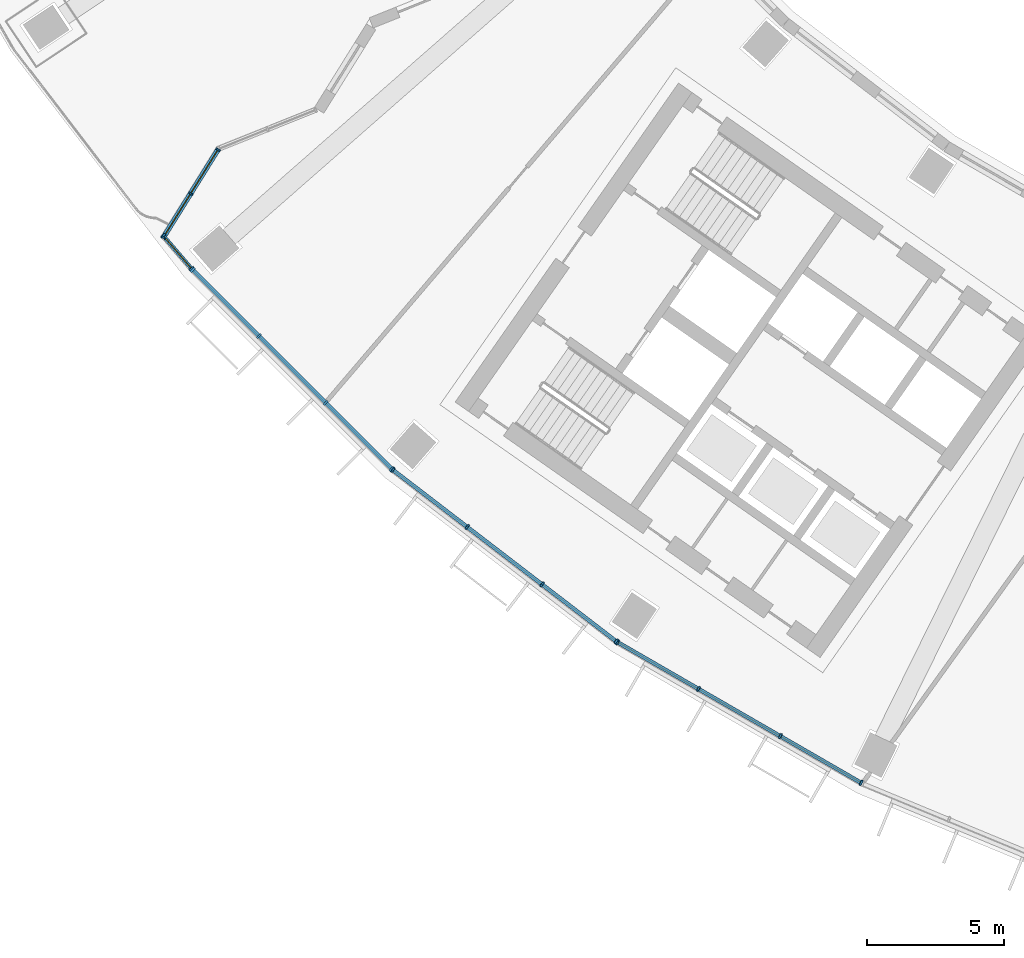
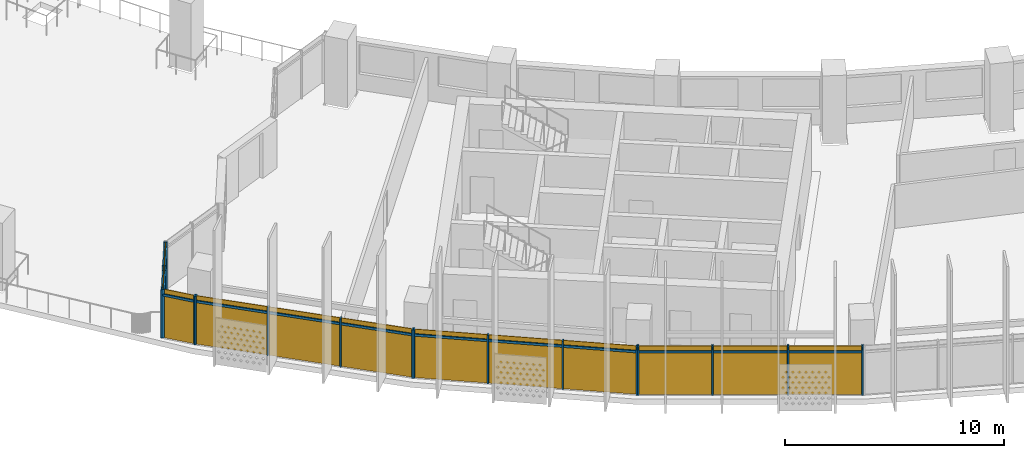
# One storey, part 16 of 31: 29 members, 5 curtain walls.
"""IFC4 building model written with IfcOpenShell, lengths in metres."""

from ifc_helpers import new_model, si_unit, direction, frame, origin, origin_2d, place, context, subcontext, project, spatial, rectangle, extrude, material, material_profile, profile_set, type_object, element, aggregate, save


model = new_model("IFC4")

# Units and contexts
model_context = context("Model", 3, precision=1e-05, world=origin(), true_north=direction((0.0, 1.0)))
body_context = subcontext(model_context, "Body", "Model", "MODEL_VIEW")
ifc_project = project(units=[si_unit("LENGTHUNIT", "METRE"), si_unit("AREAUNIT", "SQUARE_METRE"), si_unit("VOLUMEUNIT", "CUBIC_METRE"), si_unit("PLANEANGLEUNIT", "RADIAN"), si_unit("MASSUNIT", "GRAM", prefix="KILO")], contexts=[model_context])

# Member
ifc_material = material(Name="Aluminium 6063-T6 anodised", Category="aluminium")
ifc_material_profile_1 = material_profile(ifc_material, rectangle(XDim=0.179931640625, YDim=0.06005859375, at=origin_2d()))
ifc_profile_set_1 = profile_set([ifc_material_profile_1], Name="Aluminium 6063-T6 anodised")
member_type_1 = type_object("IfcMemberType", Name="Mullion 60 x 180 aluminium, garden", PredefinedType="MULLION", material=ifc_profile_set_1)
site_placement = place(None, origin())
building_placement = place(site_placement, origin())
storey_placement = place(building_placement, frame((0.0, 0.0, 149.300048828125)))
member_1_placement = place(storey_placement, frame((-58.37939453125, -47.655029296875, 0.0), z_axis=(0.0, 0.0, 1.0), x_axis=(0.849221550021, -0.528036702303, 0.0)))
member_1 = element("IfcMember", 1, at=member_1_placement, type_object=member_type_1, Name="e-cw4-L34-capW5/M00", PredefinedType="MULLION", context=body_context, shape_type="SweptSolid", body=[
    extrude(rectangle(XDim=0.179931640625, YDim=0.06005859375, at=origin_2d()), origin(), (0.0, 0.0, 1.0), 2.699951171875),
])

member_2_placement = place(storey_placement, frame((-59.3759765625, -49.2578125, 0.0), z_axis=(0.0, 0.0, 1.0), x_axis=(0.849221550021, -0.528036702303, 0.0)))
member_2 = element("IfcMember", 2, at=member_2_placement, type_object=member_type_1, Name="e-cw4-L34-capW5/M01", PredefinedType="MULLION", context=body_context, shape_type="SweptSolid", body=[
    extrude(rectangle(XDim=0.179931640625, YDim=0.06005859375, at=origin_2d()), origin(), (0.0, 0.0, 1.0), 2.699951171875),
])

member_3_placement = place(storey_placement, frame((-60.372314453125, -50.8603515625, 0.0), z_axis=(0.0, 0.0, 1.0), x_axis=(0.849221550021, -0.528036702303, 0.0)))
member_3 = element("IfcMember", 3, at=member_3_placement, type_object=member_type_1, Name="e-cw4-L34-capW5/M02", PredefinedType="MULLION", context=body_context, shape_type="SweptSolid", body=[
    extrude(rectangle(XDim=0.179931640625, YDim=0.06005859375, at=origin_2d()), origin(), (0.0, 0.0, 1.0), 2.699951171875),
])

ifc_material_profile_2 = material_profile(ifc_material, rectangle(XDim=0.199951171875, YDim=0.070068359375, at=origin_2d()))
ifc_profile_set_2 = profile_set([ifc_material_profile_2], Name="Aluminium 6063-T6 anodised")
member_type_2 = type_object("IfcMemberType", Name="Mullion 70 x 200 aluminium", PredefinedType="MULLION", material=ifc_profile_set_2)
member_4_placement = place(storey_placement, frame((-60.37451171875, -50.79443359375, 0.0), z_axis=(0.0, 0.0, 1.0), x_axis=(0.758703110659, 0.651436558597, 0.0)))
member_4 = element("IfcMember", 4, at=member_4_placement, type_object=member_type_2, Name="e-cw1-L34-out00/M00", PredefinedType="MULLION", context=body_context, shape_type="SweptSolid", body=[
    extrude(rectangle(XDim=0.199951171875, YDim=0.070068359375, at=origin_2d()), origin(), (0.0, 0.0, 1.0), 2.699951171875),
])

member_5_placement = place(storey_placement, frame((-59.34228515625, -51.99658203125, 0.0), z_axis=(0.0, 0.0, 1.0), x_axis=(0.758703110659, 0.651436558597, 0.0)))
member_5 = element("IfcMember", 5, at=member_5_placement, type_object=member_type_2, Name="e-cw1-L34-out00/M01", PredefinedType="MULLION", context=body_context, shape_type="SweptSolid", body=[
    extrude(rectangle(XDim=0.199951171875, YDim=0.070068359375, at=origin_2d()), origin(), (0.0, 0.0, 1.0), 2.699951171875),
])

member_6_placement = place(storey_placement, frame((-59.2998046875, -52.042236328125, 0.0), z_axis=(0.0, 0.0, 1.0), x_axis=(0.707106781187, 0.707106781187, 0.0)))
member_6 = element("IfcMember", 6, at=member_6_placement, type_object=member_type_2, Name="e-cw1-L34-out01/M00", PredefinedType="MULLION", context=body_context, shape_type="SweptSolid", body=[
    extrude(rectangle(XDim=0.199951171875, YDim=0.070068359375, at=origin_2d()), origin(), (0.0, 0.0, 1.0), 2.699951171875),
])

member_7_placement = place(storey_placement, frame((-56.888916015625, -54.453369140625, 0.0), z_axis=(0.0, 0.0, 1.0), x_axis=(0.707106781187, 0.707106781187, 0.0)))
member_7 = element("IfcMember", 7, at=member_7_placement, type_object=member_type_2, Name="e-cw1-L34-out01/M01", PredefinedType="MULLION", context=body_context, shape_type="SweptSolid", body=[
    extrude(rectangle(XDim=0.199951171875, YDim=0.070068359375, at=origin_2d()), origin(), (0.0, 0.0, 1.0), 2.699951171875),
])

member_8_placement = place(storey_placement, frame((-54.453369140625, -56.888916015625, 0.0), z_axis=(0.0, 0.0, 1.0), x_axis=(0.707106781187, 0.707106781187, 0.0)))
member_8 = element("IfcMember", 8, at=member_8_placement, type_object=member_type_2, Name="e-cw1-L34-out01/M02", PredefinedType="MULLION", context=body_context, shape_type="SweptSolid", body=[
    extrude(rectangle(XDim=0.199951171875, YDim=0.070068359375, at=origin_2d()), origin(), (0.0, 0.0, 1.0), 2.699951171875),
])

member_9_placement = place(storey_placement, frame((-52.042236328125, -59.2998046875, 0.0), z_axis=(0.0, 0.0, 1.0), x_axis=(0.707106781187, 0.707106781187, 0.0)))
member_9 = element("IfcMember", 9, at=member_9_placement, type_object=member_type_2, Name="e-cw1-L34-out01/M03", PredefinedType="MULLION", context=body_context, shape_type="SweptSolid", body=[
    extrude(rectangle(XDim=0.199951171875, YDim=0.070068359375, at=origin_2d()), origin(), (0.0, 0.0, 1.0), 2.699951171875),
])

member_10_placement = place(storey_placement, frame((-51.999755859375, -59.33740234375, 0.0), z_axis=(0.0, 0.0, 1.0), x_axis=(0.608761429009, 0.793353340291, 0.0)))
member_10 = element("IfcMember", 10, at=member_10_placement, type_object=member_type_2, Name="e-cw1-L34-out02/M00", PredefinedType="MULLION", context=body_context, shape_type="SweptSolid", body=[
    extrude(rectangle(XDim=0.199951171875, YDim=0.070068359375, at=origin_2d()), origin(), (0.0, 0.0, 1.0), 2.699951171875),
])

member_11_placement = place(storey_placement, frame((-49.294677734375, -61.412841796875, 0.0), z_axis=(0.0, 0.0, 1.0), x_axis=(0.608761429009, 0.793353340291, 0.0)))
member_11 = element("IfcMember", 11, at=member_11_placement, type_object=member_type_2, Name="e-cw1-L34-out02/M01", PredefinedType="MULLION", context=body_context, shape_type="SweptSolid", body=[
    extrude(rectangle(XDim=0.199951171875, YDim=0.070068359375, at=origin_2d()), origin(), (0.0, 0.0, 1.0), 2.699951171875),
])

member_12_placement = place(storey_placement, frame((-46.56201171875, -63.509765625, 0.0), z_axis=(0.0, 0.0, 1.0), x_axis=(0.608761429009, 0.793353340291, 0.0)))
member_12 = element("IfcMember", 12, at=member_12_placement, type_object=member_type_2, Name="e-cw1-L34-out02/M02", PredefinedType="MULLION", context=body_context, shape_type="SweptSolid", body=[
    extrude(rectangle(XDim=0.199951171875, YDim=0.070068359375, at=origin_2d()), origin(), (0.0, 0.0, 1.0), 2.699951171875),
])

member_13_placement = place(storey_placement, frame((-43.85693359375, -65.58544921875, 0.0), z_axis=(0.0, 0.0, 1.0), x_axis=(0.608761429009, 0.793353340291, 0.0)))
member_13 = element("IfcMember", 13, at=member_13_placement, type_object=member_type_2, Name="e-cw1-L34-out02/M03", PredefinedType="MULLION", context=body_context, shape_type="SweptSolid", body=[
    extrude(rectangle(XDim=0.199951171875, YDim=0.070068359375, at=origin_2d()), origin(), (0.0, 0.0, 1.0), 2.699951171875),
])

member_14_placement = place(storey_placement, frame((-43.809814453125, -65.616943359375, 0.0), z_axis=(0.0, 0.0, 1.0), x_axis=(0.5, 0.866025403784, 0.0)))
member_14 = element("IfcMember", 14, at=member_14_placement, type_object=member_type_2, Name="e-cw1-L34-out03/M00", PredefinedType="MULLION", context=body_context, shape_type="SweptSolid", body=[
    extrude(rectangle(XDim=0.199951171875, YDim=0.070068359375, at=origin_2d()), origin(), (0.0, 0.0, 1.0), 2.699951171875),
])

member_15_placement = place(storey_placement, frame((-40.85693359375, -67.32177734375, 0.0), z_axis=(0.0, 0.0, 1.0), x_axis=(0.5, 0.866025403784, 0.0)))
member_15 = element("IfcMember", 15, at=member_15_placement, type_object=member_type_2, Name="e-cw1-L34-out03/M01", PredefinedType="MULLION", context=body_context, shape_type="SweptSolid", body=[
    extrude(rectangle(XDim=0.199951171875, YDim=0.070068359375, at=origin_2d()), origin(), (0.0, 0.0, 1.0), 2.699951171875),
])

member_16_placement = place(storey_placement, frame((-37.873779296875, -69.0439453125, 0.0), z_axis=(0.0, 0.0, 1.0), x_axis=(0.5, 0.866025403784, 0.0)))
member_16 = element("IfcMember", 16, at=member_16_placement, type_object=member_type_2, Name="e-cw1-L34-out03/M02", PredefinedType="MULLION", context=body_context, shape_type="SweptSolid", body=[
    extrude(rectangle(XDim=0.199951171875, YDim=0.070068359375, at=origin_2d()), origin(), (0.0, 0.0, 1.0), 2.699951171875),
])

member_17_placement = place(storey_placement, frame((-34.921142578125, -70.748779296875, 0.0), z_axis=(0.0, 0.0, 1.0), x_axis=(0.5, 0.866025403784, 0.0)))
member_17 = element("IfcMember", 17, at=member_17_placement, type_object=member_type_2, Name="e-cw1-L34-out03/M03", PredefinedType="MULLION", context=body_context, shape_type="SweptSolid", body=[
    extrude(rectangle(XDim=0.199951171875, YDim=0.070068359375, at=origin_2d()), origin(), (0.0, 0.0, 1.0), 2.699951171875),
])

ifc_material_profile_3 = material_profile(ifc_material, rectangle(XDim=0.179931640625, YDim=0.10009765625, at=origin_2d()))
ifc_profile_set_3 = profile_set([ifc_material_profile_3], Name="Aluminium 6063-T6 anodised")
member_type_3 = type_object("IfcMemberType", Name="Transom 100 x 180 aluminium, garden", PredefinedType="USERDEFINED", material=ifc_profile_set_3)
member_18_placement = place(storey_placement, frame((-58.395263671875, -47.680419921875, 2.39990234375), z_axis=(-0.528027884458, -0.849227032798, 0.0), x_axis=(0.849227032798, -0.528027884458, 0.0)))
member_18 = element("IfcMember", 18, at=member_18_placement, type_object=member_type_3, Name="e-cw4-L34-capW5/T00", ObjectType="TRANSOM", PredefinedType="USERDEFINED", context=body_context, shape_type="SweptSolid", body=[
    extrude(rectangle(XDim=0.179931640625, YDim=0.10009765625, at=origin_2d()), origin(), (0.0, 0.0, 1.0), 1.8271484375),
])

member_19_placement = place(storey_placement, frame((-59.391845703125, -49.283203125, 2.39990234375), z_axis=(-0.528027884458, -0.849227032798, 0.0), x_axis=(0.849227032798, -0.528027884458, 0.0)))
member_19 = element("IfcMember", 19, at=member_19_placement, type_object=member_type_3, Name="e-cw4-L34-capW5/T01", ObjectType="TRANSOM", PredefinedType="USERDEFINED", context=body_context, shape_type="SweptSolid", body=[
    extrude(rectangle(XDim=0.179931640625, YDim=0.10009765625, at=origin_2d()), origin(), (0.0, 0.0, 1.0), 1.8271484375),
])

ifc_material_profile_4 = material_profile(ifc_material, rectangle(XDim=0.139892578125, YDim=0.1201171875, at=origin_2d()))
ifc_profile_set_4 = profile_set([ifc_material_profile_4], Name="Aluminium 6063-T6 anodised")
member_type_4 = type_object("IfcMemberType", Name="Transom 120 x 140 aluminium", PredefinedType="USERDEFINED", material=ifc_profile_set_4)
member_20_placement = place(storey_placement, frame((-60.351806640625, -50.821044921875, 2.39990234375), z_axis=(0.651560994769, -0.758596249724, 0.0), x_axis=(0.758596249724, 0.651560994769, 0.0)))
member_20 = element("IfcMember", 20, at=member_20_placement, type_object=member_type_4, Name="e-cw1-L34-out00/T00", ObjectType="TRANSOM", PredefinedType="USERDEFINED", context=body_context, shape_type="SweptSolid", body=[
    extrude(rectangle(XDim=0.139892578125, YDim=0.1201171875, at=origin_2d()), origin(), (0.0, 0.0, 1.0), 1.5146484375),
])

member_21_placement = place(storey_placement, frame((-59.275146484375, -52.067138671875, 2.39990234375), z_axis=(0.707106781187, -0.707106781187, 0.0), x_axis=(0.707106781187, 0.707106781187, 0.0)))
member_21 = element("IfcMember", 21, at=member_21_placement, type_object=member_type_4, Name="e-cw1-L34-out01/T00", ObjectType="TRANSOM", PredefinedType="USERDEFINED", context=body_context, shape_type="SweptSolid", body=[
    extrude(rectangle(XDim=0.139892578125, YDim=0.1201171875, at=origin_2d()), origin(), (0.0, 0.0, 1.0), 3.33935546875),
])

member_22_placement = place(storey_placement, frame((-56.8642578125, -54.47802734375, 2.39990234375), z_axis=(0.707106781187, -0.707106781187, 0.0), x_axis=(0.707106781187, 0.707106781187, 0.0)))
member_22 = element("IfcMember", 22, at=member_22_placement, type_object=member_type_4, Name="e-cw1-L34-out01/T01", ObjectType="TRANSOM", PredefinedType="USERDEFINED", context=body_context, shape_type="SweptSolid", body=[
    extrude(rectangle(XDim=0.139892578125, YDim=0.1201171875, at=origin_2d()), origin(), (0.0, 0.0, 1.0), 3.374755859375),
])

member_23_placement = place(storey_placement, frame((-54.428466796875, -56.913818359375, 2.39990234375), z_axis=(0.707106781187, -0.707106781187, 0.0), x_axis=(0.707106781187, 0.707106781187, 0.0)))
member_23 = element("IfcMember", 23, at=member_23_placement, type_object=member_type_4, Name="e-cw1-L34-out01/T02", ObjectType="TRANSOM", PredefinedType="USERDEFINED", context=body_context, shape_type="SweptSolid", body=[
    extrude(rectangle(XDim=0.139892578125, YDim=0.1201171875, at=origin_2d()), origin(), (0.0, 0.0, 1.0), 3.33935546875),
])

member_24_placement = place(storey_placement, frame((-51.971923828125, -59.358642578125, 2.39990234375), z_axis=(0.793354486861, -0.608759934767, 0.0), x_axis=(0.608759934767, 0.793354486861, 0.0)))
member_24 = element("IfcMember", 24, at=member_24_placement, type_object=member_type_4, Name="e-cw1-L34-out02/T00", ObjectType="TRANSOM", PredefinedType="USERDEFINED", context=body_context, shape_type="SweptSolid", body=[
    extrude(rectangle(XDim=0.139892578125, YDim=0.1201171875, at=origin_2d()), origin(), (0.0, 0.0, 1.0), 3.339599609375),
])

member_25_placement = place(storey_placement, frame((-49.266845703125, -61.434326171875, 2.39990234375), z_axis=(0.793371081522, -0.608738307489, 0.0), x_axis=(0.608738307489, 0.793371081522, 0.0)))
member_25 = element("IfcMember", 25, at=member_25_placement, type_object=member_type_4, Name="e-cw1-L34-out02/T01", ObjectType="TRANSOM", PredefinedType="USERDEFINED", context=body_context, shape_type="SweptSolid", body=[
    extrude(rectangle(XDim=0.139892578125, YDim=0.1201171875, at=origin_2d()), origin(), (0.0, 0.0, 1.0), 3.37451171875),
])

member_26_placement = place(storey_placement, frame((-46.5341796875, -63.53125, 2.39990234375), z_axis=(0.793354486861, -0.608759934767, 0.0), x_axis=(0.608759934767, 0.793354486861, 0.0)))
member_26 = element("IfcMember", 26, at=member_26_placement, type_object=member_type_4, Name="e-cw1-L34-out02/T02", ObjectType="TRANSOM", PredefinedType="USERDEFINED", context=body_context, shape_type="SweptSolid", body=[
    extrude(rectangle(XDim=0.139892578125, YDim=0.1201171875, at=origin_2d()), origin(), (0.0, 0.0, 1.0), 3.339599609375),
])

member_27_placement = place(storey_placement, frame((-43.779541015625, -65.634521484375, 2.39990234375), z_axis=(0.866052898888, -0.49995237406, 0.0), x_axis=(0.49995237406, 0.866052898888, 0.0)))
member_27 = element("IfcMember", 27, at=member_27_placement, type_object=member_type_4, Name="e-cw1-L34-out03/T00", ObjectType="TRANSOM", PredefinedType="USERDEFINED", context=body_context, shape_type="SweptSolid", body=[
    extrude(rectangle(XDim=0.139892578125, YDim=0.1201171875, at=origin_2d()), origin(), (0.0, 0.0, 1.0), 3.339599609375),
])

member_28_placement = place(storey_placement, frame((-40.82666015625, -67.33935546875, 2.39990234375), z_axis=(0.86602172966, -0.500006363716, 0.0), x_axis=(0.500006363716, 0.86602172966, 0.0)))
member_28 = element("IfcMember", 28, at=member_28_placement, type_object=member_type_4, Name="e-cw1-L34-out03/T01", ObjectType="TRANSOM", PredefinedType="USERDEFINED", context=body_context, shape_type="SweptSolid", body=[
    extrude(rectangle(XDim=0.139892578125, YDim=0.1201171875, at=origin_2d()), origin(), (0.0, 0.0, 1.0), 3.37451171875),
])

member_29_placement = place(storey_placement, frame((-37.843505859375, -69.0615234375, 2.39990234375), z_axis=(0.866002968352, -0.500038857296, 0.0), x_axis=(0.500038857296, 0.866002968352, 0.0)))
member_29 = element("IfcMember", 29, at=member_29_placement, type_object=member_type_4, Name="e-cw1-L34-out03/T02", ObjectType="TRANSOM", PredefinedType="USERDEFINED", context=body_context, shape_type="SweptSolid", body=[
    extrude(rectangle(XDim=0.139892578125, YDim=0.1201171875, at=origin_2d()), origin(), (0.0, 0.0, 1.0), 3.339599609375),
])

# Site, building, storey
site = spatial("IfcSite", under=ifc_project, at=site_placement, CompositionType="ELEMENT")
building = spatial("IfcBuilding", under=site, at=building_placement, Name="Qamariyya Broadcast Tower", CompositionType="ELEMENT")
storey = spatial("IfcBuildingStorey", under=building, at=storey_placement, Name="L34", CompositionType="ELEMENT", Elevation=149.300048828125)

# Curtain wall
curtain_wall_type_1 = type_object("IfcCurtainWallType", Name="Sky garden enclosure curtain wall", PredefinedType="NOTDEFINED", material=ifc_material)
curtain_wall_1_placement = place(storey_placement, origin())
curtain_wall_1 = element("IfcCurtainWall", 30, at=curtain_wall_1_placement, inside=storey, type_object=curtain_wall_type_1, Name="e-cw4-L34-capW5", PredefinedType="NOTDEFINED", context=body_context, shape_type="SweptSolid", body=[
    extrude(rectangle(XDim=1.8271484375, YDim=0.031982421875, at=origin_2d()), frame((-58.877685546875, -48.456298828125, 0.0), x_axis=(-0.528045830655, -0.849215874044, 0.0)), (0.0, 0.0, 1.0), 2.35009765625),
    extrude(rectangle(XDim=1.8271484375, YDim=0.031982421875, at=origin_2d()), frame((-58.877685546875, -48.456298828125, 2.449951171875), x_axis=(-0.528045830655, -0.849215874044, 0.0)), (0.0, 0.0, 1.0), 0.25),
    extrude(rectangle(XDim=1.8271484375, YDim=0.031982421875, at=origin_2d()), frame((-59.8740234375, -50.05908203125, 0.0), x_axis=(-0.528045830655, -0.849215874044, 0.0)), (0.0, 0.0, 1.0), 2.35009765625),
    extrude(rectangle(XDim=1.8271484375, YDim=0.031982421875, at=origin_2d()), frame((-59.8740234375, -50.05908203125, 2.449951171875), x_axis=(-0.528045830655, -0.849215874044, 0.0)), (0.0, 0.0, 1.0), 0.25),
])

aggregate(curtain_wall_1, [member_1, member_2, member_3, member_18, member_19])

curtain_wall_type_2 = type_object("IfcCurtainWallType", Name="Unitised curtain wall, anodised aluminium", PredefinedType="NOTDEFINED", material=ifc_material)
curtain_wall_2_placement = place(storey_placement, origin())
curtain_wall_2 = element("IfcCurtainWall", 31, at=curtain_wall_2_placement, inside=storey, type_object=curtain_wall_type_2, Name="e-cw1-L34-out00", PredefinedType="NOTDEFINED", context=body_context, shape_type="SweptSolid", body=[
    extrude(rectangle(XDim=1.514404296875, YDim=0.031982421875, at=origin_2d()), frame((-59.8583984375, -51.3955078125, 0.0), x_axis=(0.651350206546, -0.758777245595, 0.0)), (0.0, 0.0, 1.0), 2.340087890625),
    extrude(rectangle(XDim=1.514404296875, YDim=0.031982421875, at=origin_2d()), frame((-59.8583984375, -51.3955078125, 2.4599609375), x_axis=(0.651350206546, -0.758777245595, 0.0)), (0.0, 0.0, 1.0), 0.239990234375),
])

aggregate(curtain_wall_2, [member_4, member_5, member_20])

curtain_wall_3_placement = place(storey_placement, origin())
curtain_wall_3 = element("IfcCurtainWall", 32, at=curtain_wall_3_placement, inside=storey, type_object=curtain_wall_type_2, Name="e-cw1-L34-out01", PredefinedType="NOTDEFINED", context=body_context, shape_type="SweptSolid", body=[
    extrude(rectangle(XDim=3.339599609375, YDim=0.031982421875, at=origin_2d()), frame((-58.094482421875, -53.247802734375, 0.0), x_axis=(0.707106781187, -0.707106781187, 0.0)), (0.0, 0.0, 1.0), 2.340087890625),
    extrude(rectangle(XDim=3.339599609375, YDim=0.031982421875, at=origin_2d()), frame((-58.094482421875, -53.247802734375, 2.4599609375), x_axis=(0.707106781187, -0.707106781187, 0.0)), (0.0, 0.0, 1.0), 0.239990234375),
    extrude(rectangle(XDim=3.37451171875, YDim=0.031982421875, at=origin_2d()), frame((-55.671142578125, -55.671142578125, 0.0), x_axis=(0.707106781187, -0.707106781187, 0.0)), (0.0, 0.0, 1.0), 2.340087890625),
    extrude(rectangle(XDim=3.37451171875, YDim=0.031982421875, at=origin_2d()), frame((-55.671142578125, -55.671142578125, 2.4599609375), x_axis=(0.707106781187, -0.707106781187, 0.0)), (0.0, 0.0, 1.0), 0.239990234375),
    extrude(rectangle(XDim=3.339599609375, YDim=0.031982421875, at=origin_2d()), frame((-53.247802734375, -58.094482421875, 0.0), x_axis=(0.707106781187, -0.707106781187, 0.0)), (0.0, 0.0, 1.0), 2.340087890625),
    extrude(rectangle(XDim=3.339599609375, YDim=0.031982421875, at=origin_2d()), frame((-53.247802734375, -58.094482421875, 2.4599609375), x_axis=(0.707106781187, -0.707106781187, 0.0)), (0.0, 0.0, 1.0), 0.239990234375),
])

aggregate(curtain_wall_3, [member_6, member_7, member_8, member_9, member_21, member_22, member_23])

curtain_wall_4_placement = place(storey_placement, origin())
curtain_wall_4 = element("IfcCurtainWall", 33, at=curtain_wall_4_placement, inside=storey, type_object=curtain_wall_type_2, Name="e-cw1-L34-out02", PredefinedType="NOTDEFINED", context=body_context, shape_type="SweptSolid", body=[
    extrude(rectangle(XDim=3.339599609375, YDim=0.031982421875, at=origin_2d()), frame((-50.64697265625, -60.375, 0.0), x_axis=(0.793351517557, -0.608763804434, 0.0)), (0.0, 0.0, 1.0), 2.340087890625),
    extrude(rectangle(XDim=3.339599609375, YDim=0.031982421875, at=origin_2d()), frame((-50.64697265625, -60.375, 2.4599609375), x_axis=(0.793351517557, -0.608763804434, 0.0)), (0.0, 0.0, 1.0), 0.239990234375),
    extrude(rectangle(XDim=3.37451171875, YDim=0.031982421875, at=origin_2d()), frame((-47.92822265625, -62.46142578125, 0.0), x_axis=(0.793351517557, -0.608763804434, 0.0)), (0.0, 0.0, 1.0), 2.340087890625),
    extrude(rectangle(XDim=3.37451171875, YDim=0.031982421875, at=origin_2d()), frame((-47.92822265625, -62.46142578125, 2.4599609375), x_axis=(0.793351517557, -0.608763804434, 0.0)), (0.0, 0.0, 1.0), 0.239990234375),
    extrude(rectangle(XDim=3.339599609375, YDim=0.031982421875, at=origin_2d()), frame((-45.20947265625, -64.547607421875, 0.0), x_axis=(0.793351517557, -0.608763804434, 0.0)), (0.0, 0.0, 1.0), 2.340087890625),
    extrude(rectangle(XDim=3.339599609375, YDim=0.031982421875, at=origin_2d()), frame((-45.20947265625, -64.547607421875, 2.4599609375), x_axis=(0.793351517557, -0.608763804434, 0.0)), (0.0, 0.0, 1.0), 0.239990234375),
])

aggregate(curtain_wall_4, [member_10, member_11, member_12, member_13, member_24, member_25, member_26])

curtain_wall_5_placement = place(storey_placement, origin())
curtain_wall_5 = element("IfcCurtainWall", 34, at=curtain_wall_5_placement, inside=storey, type_object=curtain_wall_type_2, Name="e-cw1-L34-out03", PredefinedType="NOTDEFINED", context=body_context, shape_type="SweptSolid", body=[
    extrude(rectangle(XDim=3.339599609375, YDim=0.031982421875, at=origin_2d()), frame((-42.33349609375, -66.469482421875, 0.0), x_axis=(0.866028999376, -0.499993772201, 0.0)), (0.0, 0.0, 1.0), 2.340087890625),
    extrude(rectangle(XDim=3.339599609375, YDim=0.031982421875, at=origin_2d()), frame((-42.33349609375, -66.469482421875, 2.4599609375), x_axis=(0.866028999376, -0.499993772201, 0.0)), (0.0, 0.0, 1.0), 0.239990234375),
    extrude(rectangle(XDim=3.37451171875, YDim=0.031982421875, at=origin_2d()), frame((-39.365478515625, -68.18310546875, 0.0), x_axis=(0.866028999376, -0.499993772201, 0.0)), (0.0, 0.0, 1.0), 2.340087890625),
    extrude(rectangle(XDim=3.37451171875, YDim=0.031982421875, at=origin_2d()), frame((-39.365478515625, -68.18310546875, 2.4599609375), x_axis=(0.866028999376, -0.499993772201, 0.0)), (0.0, 0.0, 1.0), 0.239990234375),
    extrude(rectangle(XDim=3.339599609375, YDim=0.031982421875, at=origin_2d()), frame((-36.3974609375, -69.896484375, 0.0), x_axis=(0.866028999376, -0.499993772201, 0.0)), (0.0, 0.0, 1.0), 2.340087890625),
    extrude(rectangle(XDim=3.339599609375, YDim=0.031982421875, at=origin_2d()), frame((-36.3974609375, -69.896484375, 2.4599609375), x_axis=(0.866028999376, -0.499993772201, 0.0)), (0.0, 0.0, 1.0), 0.239990234375),
])

aggregate(curtain_wall_5, [member_14, member_15, member_16, member_17, member_27, member_28, member_29])

save(model, "model.ifc")
